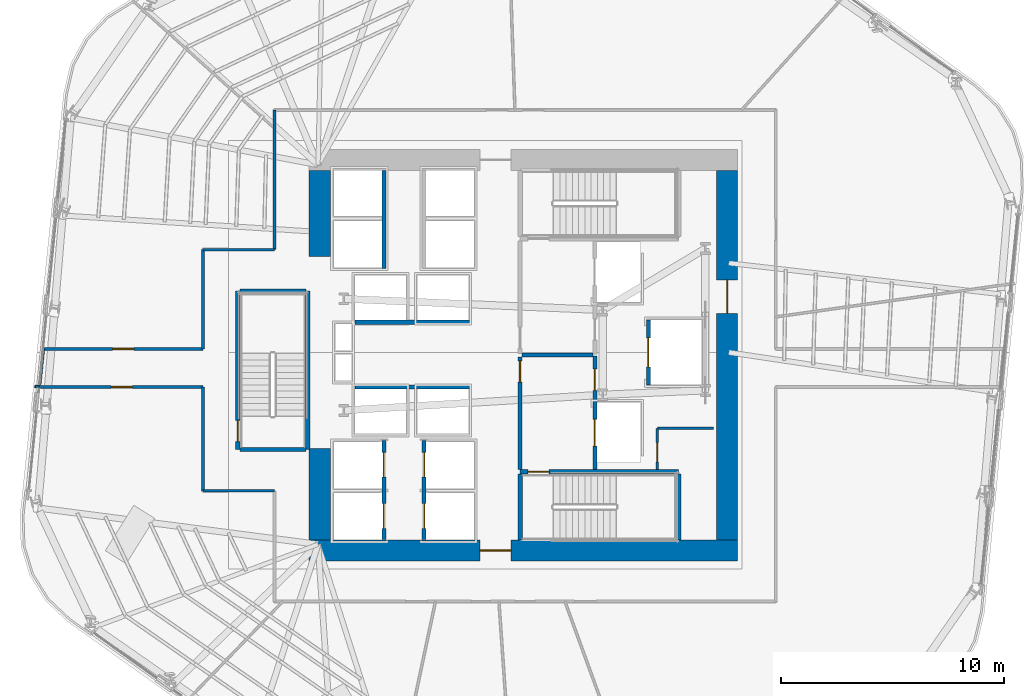
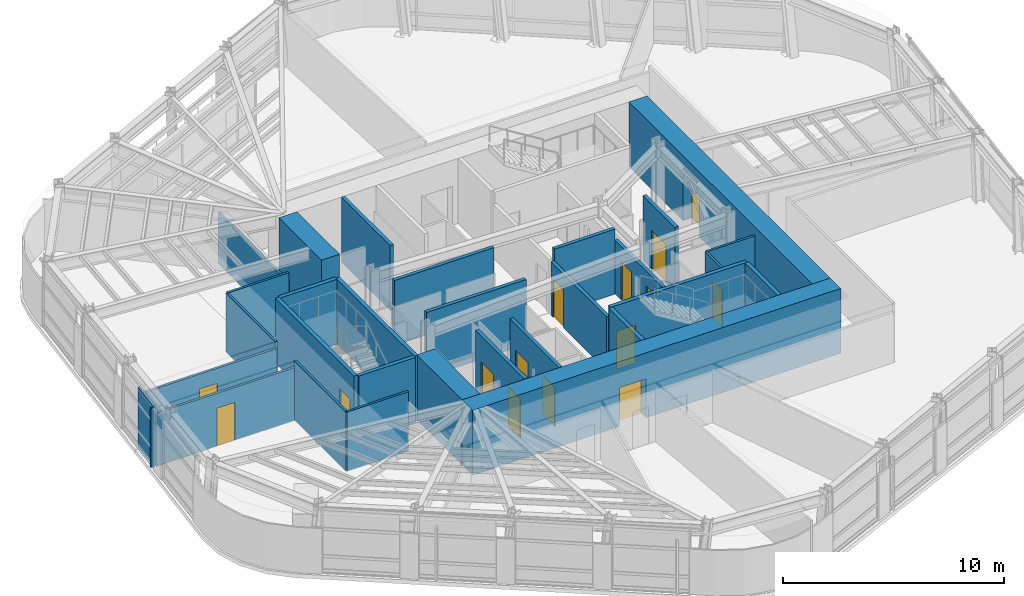
# One storey, part 9 of 16: 31 walls, 15 doors, 15 openings.
"""IFC4 building model written with IfcOpenShell, lengths in metres."""

from ifc_helpers import new_model, si_unit, direction, frame, frame_2d, origin, place, context, subcontext, project, spatial, rectangle, extrude, material, layer, layer_set, type_object, element, fill, save


model = new_model("IFC4")

# Units and contexts
model_context = context("Model", 3, precision=1e-05, world=origin(), true_north=direction((0.0, 1.0)))
body_context = subcontext(model_context, "Body", "Model", "MODEL_VIEW")
ifc_project = project(units=[si_unit("LENGTHUNIT", "METRE"), si_unit("AREAUNIT", "SQUARE_METRE"), si_unit("VOLUMEUNIT", "CUBIC_METRE"), si_unit("PLANEANGLEUNIT", "RADIAN"), si_unit("MASSUNIT", "GRAM", prefix="KILO")], contexts=[model_context])

# Site, building, storey
site_placement = place(None, origin())
site = spatial("IfcSite", under=ifc_project, at=site_placement, CompositionType="ELEMENT")
building_placement = place(site_placement, origin())
building = spatial("IfcBuilding", under=site, at=building_placement, Name="Valkerne Bourse Tower", CompositionType="ELEMENT")
storey_placement = place(building_placement, frame((0.0, 0.0, 127.60009765625)))
storey = spatial("IfcBuildingStorey", under=building, at=storey_placement, Name="L32", CompositionType="ELEMENT", Elevation=127.60009765625)

# Wall, opening, door
ifc_material_1 = material(Name="Concrete C70/85", Category="concrete")
ifc_layer_1 = layer(ifc_material_1, 0.949951171875)
ifc_layer_set_1 = layer_set([ifc_layer_1], Name="Concrete C70/85")
wall_type_1 = type_object("IfcWallType", Name="W-CORE-950", PredefinedType="SHEAR", material=ifc_layer_set_1)
wall_1_placement = place(storey_placement, frame((37.199951171875, 18.125, 0.0), z_axis=(0.0, 0.0, 1.0), x_axis=(1.0, 0.0, 0.0)))
wall_1 = element("IfcWall", 1, at=wall_1_placement, inside=storey, type_object=wall_type_1, Name="L32 Core Shear Wall SOUTH", PredefinedType="SHEAR", context=body_context, shape_type="SweptSolid", body=[
    extrude(rectangle(XDim=19.199951171875, YDim=0.949951171875, at=frame_2d((9.60009765625, 0.0))), origin(), (0.0, 0.0, 1.0), 3.579833984375),
])
opening_1_placement = place(wall_1_placement, frame((7.64990234375, 0.0, 0.0)))
opening_1 = element("IfcOpeningElement", 2, at=opening_1_placement, cuts=wall_1, Name="Opening D-PL-1400", PredefinedType="OPENING", context=body_context, shape_type="SweptSolid", body=[
    extrude(rectangle(XDim=1.39990234375, YDim=2.14990234375, at=frame_2d((0.699951171875, 1.074951171875))), frame((0.0, 0.48486328125, 0.0), z_axis=(0.0, -1.0, 0.0), x_axis=(1.0, 0.0, 0.0)), (0.0, 0.0, 1.0), 0.969970703125),
])
ifc_material_2 = material(Name="Galvanised Painted Steel", Category="steel")
door_type_1 = type_object("IfcDoorType", Name="DR-PLT-1400", OperationType="DOUBLE_DOOR_SINGLE_SWING", PredefinedType="DOOR", material=ifc_material_2)
door_1_placement = place(opening_1_placement, origin())
door_1 = element("IfcDoor", 3, at=door_1_placement, inside=storey, type_object=door_type_1, Name="L32 South Passenger Lift Hall Fire Door", OperationType="DOUBLE_DOOR_SINGLE_SWING", OverallHeight=2.14990234375, OverallWidth=1.39990234375, PredefinedType="DOOR", context=body_context, shape_type="SweptSolid", body=[
    extrude(rectangle(XDim=1.39990234375, YDim=2.14990234375, at=frame_2d((0.699951171875, 1.074951171875))), frame((0.0, 0.02490234375, 0.0), z_axis=(0.0, -1.0, 0.0), x_axis=(1.0, 0.0, 0.0)), (0.0, 0.0, 1.0), 0.050048828125),
])
fill(opening_1, door_1)

wall_2_placement = place(storey_placement, frame((55.925048828125, 18.60009765625, 0.0), z_axis=(0.0, 0.0, 1.0), x_axis=(0.0, 1.0, 0.0)))
wall_2 = element("IfcWall", 4, at=wall_2_placement, inside=storey, type_object=wall_type_1, Name="L32 Core Shear Wall EAST", PredefinedType="SHEAR", context=body_context, shape_type="SweptSolid", body=[
    extrude(rectangle(XDim=16.5498046875, YDim=0.949951171875, at=frame_2d((8.27490234375, 0.0))), origin(), (0.0, 0.0, 1.0), 3.579833984375),
])
opening_2_placement = place(wall_2_placement, frame((10.14990234375, 0.0, 0.0)))
opening_2 = element("IfcOpeningElement", 5, at=opening_2_placement, cuts=wall_2, Name="Opening D-CR-1500", PredefinedType="OPENING", context=body_context, shape_type="SweptSolid", body=[
    extrude(rectangle(XDim=1.5, YDim=2.14990234375, at=frame_2d((0.75, 1.074951171875))), frame((0.0, 0.48486328125, 0.0), z_axis=(0.0, -1.0, 0.0), x_axis=(1.0, 0.0, 0.0)), (0.0, 0.0, 1.0), 0.969970703125),
])
door_type_2 = type_object("IfcDoorType", Name="DR-CORR-1500", OperationType="DOUBLE_DOOR_SINGLE_SWING", PredefinedType="DOOR", material=ifc_material_2)
door_2_placement = place(opening_2_placement, origin())
door_2 = element("IfcDoor", 6, at=door_2_placement, inside=storey, type_object=door_type_2, Name="L32 East Core Service Lobby Fire Door", OperationType="DOUBLE_DOOR_SINGLE_SWING", OverallHeight=2.14990234375, OverallWidth=1.5, PredefinedType="DOOR", context=body_context, shape_type="SweptSolid", body=[
    extrude(rectangle(XDim=1.5, YDim=2.14990234375, at=frame_2d((0.75, 1.074951171875))), frame((0.0, 0.02490234375, 0.0), z_axis=(0.0, -1.0, 0.0), x_axis=(1.0, 0.0, 0.0)), (0.0, 0.0, 1.0), 0.050048828125),
])
fill(opening_2, door_2)

# Walls
wall_3_placement = place(storey_placement, frame((37.675048828125, 18.60009765625, 0.0), z_axis=(0.0, 0.0, 1.0), x_axis=(0.0, 1.0, 0.0)))
element("IfcWall", 7, at=wall_3_placement, inside=storey, type_object=wall_type_1, Name="L32 Core Shear Wall WEST-S", PredefinedType="SHEAR", context=body_context, shape_type="SweptSolid", body=[
    extrude(rectangle(XDim=4.099853515625, YDim=0.949951171875, at=frame_2d((2.0498046875, 0.0))), origin(), (0.0, 0.0, 1.0), 3.579833984375),
])
wall_4_placement = place(storey_placement, frame((37.675048828125, 31.300048828125, 0.0), z_axis=(0.0, 0.0, 1.0), x_axis=(0.0, 1.0, 0.0)))
element("IfcWall", 8, at=wall_4_placement, inside=storey, type_object=wall_type_1, Name="L32 Core Shear Wall WEST-N", PredefinedType="SHEAR", context=body_context, shape_type="SweptSolid", body=[
    extrude(rectangle(XDim=3.849853515625, YDim=0.949951171875, at=frame_2d((1.9248046875, 0.0))), origin(), (0.0, 0.0, 1.0), 3.579833984375),
])

# Wall, opening, door
ifc_material_3 = material(Name="Gypsum Board Steel-Stud Partition", Category="steel")
ifc_layer_2 = layer(ifc_material_3, 0.117919921875)
ifc_layer_set_2 = layer_set([ifc_layer_2], Name="Gypsum Board Steel-Stud Partition")
wall_type_2 = type_object("IfcWallType", Name="W-CORR-140", PredefinedType="PARTITIONING", material=ifc_layer_set_2)
wall_5_placement = place(storey_placement, frame((52.800048828125, 21.75, 0.0), z_axis=(0.0, 0.0, 1.0), x_axis=(0.0, 1.0, 0.0)))
wall_5 = element("IfcWall", 9, at=wall_5_placement, inside=storey, type_object=wall_type_2, Name="L32 Core SE South-Bay West Wall", PredefinedType="PARTITIONING", context=body_context, shape_type="SweptSolid", body=[
    extrude(rectangle(XDim=1.85009765625, YDim=0.117919921875, at=frame_2d((0.925048828125, 0.0))), origin(), (0.0, 0.0, 1.0), 3.27978515625),
])
opening_3_placement = place(wall_5_placement, frame((0.35009765625, 0.0, 0.0)))
opening_3 = element("IfcOpeningElement", 10, at=opening_3_placement, cuts=wall_5, Name="Opening D-WC-900", PredefinedType="OPENING", context=body_context, shape_type="SweptSolid", body=[
    extrude(rectangle(XDim=0.860107421875, YDim=2.050048828125, at=frame_2d((0.43017578125, 1.02490234375))), frame((0.0, 0.06884765625, 0.0), z_axis=(0.0, -1.0, 0.0), x_axis=(1.0, 0.0, 0.0)), (0.0, 0.0, 1.0), 0.137939453125),
])
ifc_material_4 = material(Name="Architectural White Oak Timber", Category="wood")
door_type_3 = type_object("IfcDoorType", Name="DR-WC-900", OperationType="NOTDEFINED", PredefinedType="DOOR", material=ifc_material_4)
door_3_placement = place(opening_3_placement, origin())
door_3 = element("IfcDoor", 11, at=door_3_placement, inside=storey, type_object=door_type_3, Name="L32 Janitor Store Door", OperationType="SINGLE_SWING_RIGHT", OverallHeight=2.050048828125, OverallWidth=0.860107421875, PredefinedType="DOOR", context=body_context, shape_type="SweptSolid", body=[
    extrude(rectangle(XDim=0.860107421875, YDim=2.050048828125, at=frame_2d((0.43017578125, 1.02490234375))), frame((0.0, 0.02490234375, 0.0), z_axis=(0.0, -1.0, 0.0), x_axis=(1.0, 0.0, 0.0)), (0.0, 0.0, 1.0), 0.050048828125),
])
fill(opening_3, door_3)

# Walls
wall_6_placement = place(storey_placement, frame((52.800048828125, 23.60009765625, 0.0), z_axis=(0.0, 0.0, 1.0), x_axis=(1.0, 0.0, 0.0)))
element("IfcWall", 12, at=wall_6_placement, inside=storey, type_object=wall_type_2, Name="L32 Core SE South-Bay North Wall", PredefinedType="PARTITIONING", context=body_context, shape_type="SweptSolid", body=[
    extrude(rectangle(XDim=2.52001953125, YDim=0.117919921875, at=frame_2d((1.260009765625, 0.0))), origin(), (0.0, 0.0, 1.0), 3.27978515625),
])
wall_7_placement = place(storey_placement, frame((35.64990234375, 20.800048828125, 0.0), z_axis=(0.0, 0.0, 1.0), x_axis=(-1.0, 0.0, 0.0)))
element("IfcWall", 13, at=wall_7_placement, inside=storey, type_object=wall_type_2, Name="L32 Corridor Enclosure Wall", PredefinedType="PARTITIONING", context=body_context, shape_type="SweptSolid", body=[
    extrude(rectangle(XDim=3.199951171875, YDim=0.117919921875, at=frame_2d((1.60009765625, 0.0))), origin(), (0.0, 0.0, 1.0), 3.27978515625),
])
wall_8_placement = place(storey_placement, frame((32.449951171875, 20.800048828125, 0.0), z_axis=(0.0, 0.0, 1.0), x_axis=(0.0, 1.0, 0.0)))
element("IfcWall", 14, at=wall_8_placement, inside=storey, type_object=wall_type_2, Name="L32 Corridor Enclosure Wall", PredefinedType="PARTITIONING", context=body_context, shape_type="SweptSolid", body=[
    extrude(rectangle(XDim=4.64990234375, YDim=0.117919921875, at=frame_2d((2.324951171875, 0.0))), origin(), (0.0, 0.0, 1.0), 3.27978515625),
])

# Wall, opening, door
wall_9_placement = place(storey_placement, frame((32.449951171875, 25.449951171875, 0.0), z_axis=(0.0, 0.0, 1.0), x_axis=(-1.0, 0.0, 0.0)))
wall_9 = element("IfcWall", 15, at=wall_9_placement, inside=storey, type_object=wall_type_2, Name="L32 Corridor Enclosure Wall", PredefinedType="PARTITIONING", context=body_context, shape_type="SweptSolid", body=[
    extrude(rectangle(XDim=7.27880859375, YDim=0.117919921875, at=frame_2d((3.639404296875, 0.0))), origin(), (0.0, 0.0, 1.0), 2.92236328125),
])
opening_4_placement = place(wall_9_placement, frame((3.164306640625, 0.0, 0.0)))
opening_4 = element("IfcOpeningElement", 16, at=opening_4_placement, cuts=wall_9, Name="Opening D-OF-950", PredefinedType="OPENING", context=body_context, shape_type="SweptSolid", body=[
    extrude(rectangle(XDim=0.949951171875, YDim=2.10009765625, at=frame_2d((0.47509765625, 1.050048828125))), frame((0.0, 0.06884765625, 0.0), z_axis=(0.0, -1.0, 0.0), x_axis=(1.0, 0.0, 0.0)), (0.0, 0.0, 1.0), 0.137939453125),
])
door_type_4 = type_object("IfcDoorType", Name="DR-OFF-950", OperationType="NOTDEFINED", PredefinedType="DOOR", material=ifc_material_4)
door_4_placement = place(opening_4_placement, origin())
door_4 = element("IfcDoor", 17, at=door_4_placement, inside=storey, type_object=door_type_4, Name="L32 L32 Member Collaboration Club Salon 4 Door", OperationType="SINGLE_SWING_LEFT", OverallHeight=2.10009765625, OverallWidth=0.949951171875, PredefinedType="DOOR", context=body_context, shape_type="SweptSolid", body=[
    extrude(rectangle(XDim=0.949951171875, YDim=2.10009765625, at=frame_2d((0.47509765625, 1.050048828125))), frame((0.0, 0.02490234375, 0.0), z_axis=(0.0, -1.0, 0.0), x_axis=(1.0, 0.0, 0.0)), (0.0, 0.0, 1.0), 0.050048828125),
])
fill(opening_4, door_4)

# Wall
wall_10_placement = place(storey_placement, frame((25.130859375, 25.494873046875, 0.0), z_axis=(0.0, 0.0, 1.0), x_axis=(0.102568729607, 0.994725919893, 0.0)))
element("IfcWall", 18, at=wall_10_placement, inside=storey, type_object=wall_type_2, Name="L32 Corridor Enclosure Wall", PredefinedType="PARTITIONING", context=body_context, shape_type="SweptSolid", body=[
    extrude(rectangle(XDim=1.663818359375, YDim=0.117919921875, at=frame_2d((0.83203125, 0.0))), origin(), (0.0, 0.0, 1.0), 3.27978515625),
])

# Wall, opening, door
wall_11_placement = place(storey_placement, frame((25.301513671875, 27.14990234375, 0.0), z_axis=(0.0, 0.0, 1.0), x_axis=(1.0, 0.0, 0.0)))
wall_11 = element("IfcWall", 19, at=wall_11_placement, inside=storey, type_object=wall_type_2, Name="L32 Corridor Enclosure Wall", PredefinedType="PARTITIONING", context=body_context, shape_type="SweptSolid", body=[
    extrude(rectangle(XDim=7.1484375, YDim=0.117919921875, at=frame_2d((3.57421875, 0.0))), origin(), (0.0, 0.0, 1.0), 2.92236328125),
])
opening_5_placement = place(wall_11_placement, frame((3.099365234375, 0.0, 0.0)))
opening_5 = element("IfcOpeningElement", 20, at=opening_5_placement, cuts=wall_11, Name="Opening D-OF-950", PredefinedType="OPENING", context=body_context, shape_type="SweptSolid", body=[
    extrude(rectangle(XDim=0.949951171875, YDim=2.10009765625, at=frame_2d((0.47509765625, 1.050048828125))), frame((0.0, 0.06884765625, 0.0), z_axis=(0.0, -1.0, 0.0), x_axis=(1.0, 0.0, 0.0)), (0.0, 0.0, 1.0), 0.137939453125),
])
door_5_placement = place(opening_5_placement, origin())
door_5 = element("IfcDoor", 21, at=door_5_placement, inside=storey, type_object=door_type_4, Name="L32 L32 Occupational Wellness Clinic 5 Door", OperationType="SINGLE_SWING_LEFT", OverallHeight=2.10009765625, OverallWidth=0.949951171875, PredefinedType="DOOR", context=body_context, shape_type="SweptSolid", body=[
    extrude(rectangle(XDim=0.949951171875, YDim=2.10009765625, at=frame_2d((0.47509765625, 1.050048828125))), frame((0.0, 0.02490234375, 0.0), z_axis=(0.0, -1.0, 0.0), x_axis=(1.0, 0.0, 0.0)), (0.0, 0.0, 1.0), 0.050048828125),
])
fill(opening_5, door_5)

# Walls
wall_12_placement = place(storey_placement, frame((32.449951171875, 27.14990234375, 0.0), z_axis=(0.0, 0.0, 1.0), x_axis=(0.0, 1.0, 0.0)))
element("IfcWall", 22, at=wall_12_placement, inside=storey, type_object=wall_type_2, Name="L32 Corridor Enclosure Wall", PredefinedType="PARTITIONING", context=body_context, shape_type="SweptSolid", body=[
    extrude(rectangle(XDim=4.4501953125, YDim=0.117919921875, at=frame_2d((2.22509765625, 0.0))), origin(), (0.0, 0.0, 1.0), 3.27978515625),
])
wall_13_placement = place(storey_placement, frame((32.449951171875, 31.60009765625, 0.0), z_axis=(0.0, 0.0, 1.0), x_axis=(1.0, 0.0, 0.0)))
element("IfcWall", 23, at=wall_13_placement, inside=storey, type_object=wall_type_2, Name="L32 Corridor Enclosure Wall", PredefinedType="PARTITIONING", context=body_context, shape_type="SweptSolid", body=[
    extrude(rectangle(XDim=3.199951171875, YDim=0.117919921875, at=frame_2d((1.60009765625, 0.0))), origin(), (0.0, 0.0, 1.0), 3.27978515625),
])
wall_14_placement = place(storey_placement, frame((35.64990234375, 31.60009765625, 0.0), z_axis=(0.0, 0.0, 1.0), x_axis=(0.0, 1.0, 0.0)))
element("IfcWall", 24, at=wall_14_placement, inside=storey, type_object=wall_type_2, Name="L32 Corridor Enclosure Wall", PredefinedType="PARTITIONING", context=body_context, shape_type="SweptSolid", body=[
    extrude(rectangle(XDim=6.25, YDim=0.117919921875, at=frame_2d((3.125, 0.0))), origin(), (0.0, 0.0, 1.0), 2.80029296875),
])
ifc_material_5 = material(Name="Gypsum Fire-Rated Shaftwall", Category="gypsum")
ifc_layer_3 = layer(ifc_material_5, 0.179931640625)
ifc_layer_set_3 = layer_set([ifc_layer_3], Name="Gypsum Fire-Rated Shaftwall")
wall_type_3 = type_object("IfcWallType", Name="W-FSAE-180", PredefinedType="PARTITIONING", material=ifc_layer_set_3)
wall_15_placement = place(storey_placement, frame((46.739990234375, 26.8798828125, 0.0), z_axis=(0.0, 0.0, 1.0), x_axis=(1.0, 0.0, 0.0)))
element("IfcWall", 25, at=wall_15_placement, inside=storey, type_object=wall_type_3, Name="L32 FSAE-1/2 Lobby Dividing Fire Wall", PredefinedType="PARTITIONING", context=body_context, shape_type="SweptSolid", body=[
    extrude(rectangle(XDim=3.169921875, YDim=0.179931640625, at=frame_2d((1.5849609375, 0.0))), origin(), (0.0, 0.0, 1.0), 3.579833984375),
])

# Wall, opening, door
wall_16_placement = place(storey_placement, frame((46.64990234375, 21.75, 0.0), z_axis=(0.0, 0.0, 1.0), x_axis=(0.0, 1.0, 0.0)))
wall_16 = element("IfcWall", 26, at=wall_16_placement, inside=storey, type_object=wall_type_3, Name="L32 FSAE-1 Lobby West Fire Wall", PredefinedType="PARTITIONING", context=body_context, shape_type="SweptSolid", body=[
    extrude(rectangle(XDim=5.050048828125, YDim=0.179931640625, at=frame_2d((2.52490234375, 0.0))), origin(), (0.0, 0.0, 1.0), 2.9580078125),
])
opening_6_placement = place(wall_16_placement, frame((3.919921875, 0.0, 0.0)))
opening_6 = element("IfcOpeningElement", 27, at=opening_6_placement, cuts=wall_16, Name="Opening D-FS-950", PredefinedType="OPENING", context=body_context, shape_type="SweptSolid", body=[
    extrude(rectangle(XDim=0.949951171875, YDim=2.10009765625, at=frame_2d((0.47509765625, 1.050048828125))), frame((0.0, 0.099853515625, 0.0), z_axis=(0.0, -1.0, 0.0), x_axis=(1.0, 0.0, 0.0)), (0.0, 0.0, 1.0), 0.199951171875),
])
door_type_5 = type_object("IfcDoorType", Name="DR-FSAE-950", OperationType="NOTDEFINED", PredefinedType="DOOR", material=ifc_material_2)
door_6_placement = place(opening_6_placement, origin())
door_6 = element("IfcDoor", 28, at=door_6_placement, inside=storey, type_object=door_type_5, Name="L32 FSAE-1 Hall Link Fire Door", OperationType="SINGLE_SWING_RIGHT", OverallHeight=2.10009765625, OverallWidth=0.949951171875, PredefinedType="DOOR", context=body_context, shape_type="SweptSolid", body=[
    extrude(rectangle(XDim=0.949951171875, YDim=2.10009765625, at=frame_2d((0.47509765625, 1.050048828125))), frame((0.0, 0.02490234375, 0.0), z_axis=(0.0, -1.0, 0.0), x_axis=(1.0, 0.0, 0.0)), (0.0, 0.0, 1.0), 0.050048828125),
])
fill(opening_6, door_6)

# Wall, openings, doors
wall_17_placement = place(storey_placement, frame((50.0, 21.75, 0.0), z_axis=(0.0, 0.0, 1.0), x_axis=(0.0, 1.0, 0.0)))
wall_17 = element("IfcWall", 29, at=wall_17_placement, inside=storey, type_object=wall_type_3, Name="L32 FSAE-1 Lobby & Shaft Front Wall", PredefinedType="PARTITIONING", context=body_context, shape_type="SweptSolid", body=[
    extrude(rectangle(XDim=5.090087890625, YDim=0.179931640625, at=frame_2d((2.544921875, 0.0))), origin(), (0.0, 0.0, 1.0), 2.9580078125),
])
opening_7_placement = place(wall_17_placement, frame((1.050048828125, 0.0, 0.0)))
opening_7 = element("IfcOpeningElement", 30, at=opening_7_placement, cuts=wall_17, Name="Opening LD-1200", PredefinedType="OPENING", context=body_context, shape_type="SweptSolid", body=[
    extrude(rectangle(XDim=1.199951171875, YDim=2.14990234375, at=frame_2d((0.60009765625, 1.074951171875))), frame((0.0, 0.099853515625, 0.0), z_axis=(0.0, -1.0, 0.0), x_axis=(1.0, 0.0, 0.0)), (0.0, 0.0, 1.0), 0.199951171875),
])
opening_8_placement = place(wall_17_placement, frame((3.550048828125, 0.0, 0.0)))
opening_8 = element("IfcOpeningElement", 31, at=opening_8_placement, cuts=wall_17, Name="Opening D-FS-950", PredefinedType="OPENING", context=body_context, shape_type="SweptSolid", body=[
    extrude(rectangle(XDim=0.949951171875, YDim=2.10009765625, at=frame_2d((0.47509765625, 1.050048828125))), frame((0.0, 0.099853515625, 0.0), z_axis=(0.0, -1.0, 0.0), x_axis=(1.0, 0.0, 0.0)), (0.0, 0.0, 1.0), 0.199951171875),
])
door_7_placement = place(opening_8_placement, origin())
door_7 = element("IfcDoor", 32, at=door_7_placement, inside=storey, type_object=door_type_5, Name="L32 FSAE-1 Lobby Corridor Fire Door", OperationType="SINGLE_SWING_RIGHT", OverallHeight=2.10009765625, OverallWidth=0.949951171875, PredefinedType="DOOR", context=body_context, shape_type="SweptSolid", body=[
    extrude(rectangle(XDim=0.949951171875, YDim=2.10009765625, at=frame_2d((0.47509765625, 1.050048828125))), frame((0.0, 0.02490234375, 0.0), z_axis=(0.0, -1.0, 0.0), x_axis=(1.0, 0.0, 0.0)), (0.0, 0.0, 1.0), 0.050048828125),
])
fill(opening_8, door_7)
ifc_material_6 = material(Name="Stainless Steel AISI 316", Category="steel")
door_type_6 = type_object("IfcDoorType", Name="DR-LIFT-1200", OperationType="DOUBLE_DOOR_SLIDING", PredefinedType="DOOR", material=ifc_material_6)
door_8_placement = place(opening_7_placement, origin())
door_8 = element("IfcDoor", 33, at=door_8_placement, inside=storey, type_object=door_type_6, Name="L32 FSAE-1 Firefighting Lift Landing Door", OperationType="DOUBLE_DOOR_SLIDING", OverallHeight=2.14990234375, OverallWidth=1.199951171875, PredefinedType="DOOR", context=body_context, shape_type="SweptSolid", body=[
    extrude(rectangle(XDim=1.199951171875, YDim=2.14990234375, at=frame_2d((0.60009765625, 1.074951171875))), frame((0.0, 0.02490234375, 0.0), z_axis=(0.0, -1.0, 0.0), x_axis=(1.0, 0.0, 0.0)), (0.0, 0.0, 1.0), 0.050048828125),
])
fill(opening_7, door_8)

# Wall, opening, door
ifc_material_7 = material(Name="CMU Blockwork Masonry 200mm", Category="masonry")
ifc_layer_4 = layer(ifc_material_7, 0.179931640625)
ifc_layer_set_4 = layer_set([ifc_layer_4], Name="CMU Blockwork Masonry 200mm")
wall_type_4 = type_object("IfcWallType", Name="W-LFT-180", PredefinedType="SOLIDWALL", material=ifc_layer_set_4)
wall_18_placement = place(storey_placement, frame((52.39990234375, 25.550048828125, 0.0), z_axis=(0.0, 0.0, 1.0), x_axis=(0.0, 1.0, 0.0)))
wall_18 = element("IfcWall", 34, at=wall_18_placement, inside=storey, type_object=wall_type_4, Name="L32 Service Lift SV-1 Front Wall", PredefinedType="SOLIDWALL", context=body_context, shape_type="SweptSolid", body=[
    extrude(rectangle(XDim=2.89990234375, YDim=0.179931640625, at=frame_2d((1.449951171875, 0.0))), origin(), (0.0, 0.0, 1.0), 3.579833984375),
])
opening_9_placement = place(wall_18_placement, frame((0.800048828125, 0.0, 0.0)))
opening_9 = element("IfcOpeningElement", 35, at=opening_9_placement, cuts=wall_18, Name="Opening LD-1300", PredefinedType="OPENING", context=body_context, shape_type="SweptSolid", body=[
    extrude(rectangle(XDim=1.300048828125, YDim=2.14990234375, at=frame_2d((0.64990234375, 1.074951171875))), frame((0.0, 0.099853515625, 0.0), z_axis=(0.0, -1.0, 0.0), x_axis=(1.0, 0.0, 0.0)), (0.0, 0.0, 1.0), 0.199951171875),
])
door_type_7 = type_object("IfcDoorType", Name="DR-LIFT-1300", OperationType="DOUBLE_DOOR_SLIDING", PredefinedType="DOOR", material=ifc_material_6)
door_9_placement = place(opening_9_placement, origin())
door_9 = element("IfcDoor", 36, at=door_9_placement, inside=storey, type_object=door_type_7, Name="L32 Service Lift SV-1 Landing Door", OperationType="DOUBLE_DOOR_SLIDING", OverallHeight=2.14990234375, OverallWidth=1.300048828125, PredefinedType="DOOR", context=body_context, shape_type="SweptSolid", body=[
    extrude(rectangle(XDim=1.300048828125, YDim=2.14990234375, at=frame_2d((0.64990234375, 1.074951171875))), frame((0.0, 0.02490234375, 0.0), z_axis=(0.0, -1.0, 0.0), x_axis=(1.0, 0.0, 0.0)), (0.0, 0.0, 1.0), 0.050048828125),
])
fill(opening_9, door_9)

# Wall, openings, doors
wall_19_placement = place(storey_placement, frame((40.550048828125, 18.6201171875, 0.0), z_axis=(0.0, 0.0, 1.0), x_axis=(0.0, 1.0, 0.0)))
wall_19 = element("IfcWall", 37, at=wall_19_placement, inside=storey, type_object=wall_type_4, Name="L32 Low-Zone West Cars Front Wall", PredefinedType="SOLIDWALL", context=body_context, shape_type="SweptSolid", body=[
    extrude(rectangle(XDim=4.429931640625, YDim=0.179931640625, at=frame_2d((2.21484375, 0.0))), origin(), (0.0, 0.0, 1.0), 3.579833984375),
])
opening_10_placement = place(wall_19_placement, frame((0.5, 0.0, 0.0)))
opening_10 = element("IfcOpeningElement", 38, at=opening_10_placement, cuts=wall_19, Name="Opening LD-1100", PredefinedType="OPENING", context=body_context, shape_type="SweptSolid", body=[
    extrude(rectangle(XDim=1.10009765625, YDim=2.14990234375, at=frame_2d((0.550048828125, 1.074951171875))), frame((0.0, 0.099853515625, 0.0), z_axis=(0.0, -1.0, 0.0), x_axis=(1.0, 0.0, 0.0)), (0.0, 0.0, 1.0), 0.199951171875),
])
opening_11_placement = place(wall_19_placement, frame((2.800048828125, 0.0, 0.0)))
opening_11 = element("IfcOpeningElement", 39, at=opening_11_placement, cuts=wall_19, Name="Opening LD-1100", PredefinedType="OPENING", context=body_context, shape_type="SweptSolid", body=[
    extrude(rectangle(XDim=1.10009765625, YDim=2.14990234375, at=frame_2d((0.550048828125, 1.074951171875))), frame((0.0, 0.099853515625, 0.0), z_axis=(0.0, -1.0, 0.0), x_axis=(1.0, 0.0, 0.0)), (0.0, 0.0, 1.0), 0.199951171875),
])
door_type_8 = type_object("IfcDoorType", Name="DR-LIFT-1100", OperationType="DOUBLE_DOOR_SLIDING", PredefinedType="DOOR", material=ifc_material_6)
door_10_placement = place(opening_10_placement, origin())
door_10 = element("IfcDoor", 40, at=door_10_placement, inside=storey, type_object=door_type_8, Name="L32 Passenger Lift PL-L1 Sliding Landing Door", OperationType="DOUBLE_DOOR_SLIDING", OverallHeight=2.14990234375, OverallWidth=1.10009765625, PredefinedType="DOOR", context=body_context, shape_type="SweptSolid", body=[
    extrude(rectangle(XDim=1.10009765625, YDim=2.14990234375, at=frame_2d((0.550048828125, 1.074951171875))), frame((0.0, 0.02490234375, 0.0), z_axis=(0.0, -1.0, 0.0), x_axis=(1.0, 0.0, 0.0)), (0.0, 0.0, 1.0), 0.050048828125),
])
fill(opening_10, door_10)
door_11_placement = place(opening_11_placement, origin())
door_11 = element("IfcDoor", 41, at=door_11_placement, inside=storey, type_object=door_type_8, Name="L32 Passenger Lift PL-L2 Sliding Landing Door", OperationType="DOUBLE_DOOR_SLIDING", OverallHeight=2.14990234375, OverallWidth=1.10009765625, PredefinedType="DOOR", context=body_context, shape_type="SweptSolid", body=[
    extrude(rectangle(XDim=1.10009765625, YDim=2.14990234375, at=frame_2d((0.550048828125, 1.074951171875))), frame((0.0, 0.02490234375, 0.0), z_axis=(0.0, -1.0, 0.0), x_axis=(1.0, 0.0, 0.0)), (0.0, 0.0, 1.0), 0.050048828125),
])
fill(opening_11, door_11)

wall_20_placement = place(storey_placement, frame((42.35009765625, 18.6201171875, 0.0), z_axis=(0.0, 0.0, 1.0), x_axis=(0.0, 1.0, 0.0)))
wall_20 = element("IfcWall", 42, at=wall_20_placement, inside=storey, type_object=wall_type_4, Name="L32 Low-Zone East Cars Front Wall", PredefinedType="SOLIDWALL", context=body_context, shape_type="SweptSolid", body=[
    extrude(rectangle(XDim=4.429931640625, YDim=0.179931640625, at=frame_2d((2.21484375, 0.0))), origin(), (0.0, 0.0, 1.0), 3.579833984375),
])
opening_12_placement = place(wall_20_placement, frame((0.5, 0.0, 0.0)))
opening_12 = element("IfcOpeningElement", 43, at=opening_12_placement, cuts=wall_20, Name="Opening LD-1100", PredefinedType="OPENING", context=body_context, shape_type="SweptSolid", body=[
    extrude(rectangle(XDim=1.10009765625, YDim=2.14990234375, at=frame_2d((0.550048828125, 1.074951171875))), frame((0.0, 0.099853515625, 0.0), z_axis=(0.0, -1.0, 0.0), x_axis=(1.0, 0.0, 0.0)), (0.0, 0.0, 1.0), 0.199951171875),
])
opening_13_placement = place(wall_20_placement, frame((2.800048828125, 0.0, 0.0)))
opening_13 = element("IfcOpeningElement", 44, at=opening_13_placement, cuts=wall_20, Name="Opening LD-1100", PredefinedType="OPENING", context=body_context, shape_type="SweptSolid", body=[
    extrude(rectangle(XDim=1.10009765625, YDim=2.14990234375, at=frame_2d((0.550048828125, 1.074951171875))), frame((0.0, 0.099853515625, 0.0), z_axis=(0.0, -1.0, 0.0), x_axis=(1.0, 0.0, 0.0)), (0.0, 0.0, 1.0), 0.199951171875),
])
door_12_placement = place(opening_12_placement, origin())
door_12 = element("IfcDoor", 45, at=door_12_placement, inside=storey, type_object=door_type_8, Name="L32 Passenger Lift PL-L3 Sliding Landing Door", OperationType="DOUBLE_DOOR_SLIDING", OverallHeight=2.14990234375, OverallWidth=1.10009765625, PredefinedType="DOOR", context=body_context, shape_type="SweptSolid", body=[
    extrude(rectangle(XDim=1.10009765625, YDim=2.14990234375, at=frame_2d((0.550048828125, 1.074951171875))), frame((0.0, 0.02490234375, 0.0), z_axis=(0.0, -1.0, 0.0), x_axis=(1.0, 0.0, 0.0)), (0.0, 0.0, 1.0), 0.050048828125),
])
fill(opening_12, door_12)
door_13_placement = place(opening_13_placement, origin())
door_13 = element("IfcDoor", 46, at=door_13_placement, inside=storey, type_object=door_type_8, Name="L32 Passenger Lift PL-L4 Sliding Landing Door", OperationType="DOUBLE_DOOR_SLIDING", OverallHeight=2.14990234375, OverallWidth=1.10009765625, PredefinedType="DOOR", context=body_context, shape_type="SweptSolid", body=[
    extrude(rectangle(XDim=1.10009765625, YDim=2.14990234375, at=frame_2d((0.550048828125, 1.074951171875))), frame((0.0, 0.02490234375, 0.0), z_axis=(0.0, -1.0, 0.0), x_axis=(1.0, 0.0, 0.0)), (0.0, 0.0, 1.0), 0.050048828125),
])
fill(opening_13, door_13)

# Walls
wall_21_placement = place(storey_placement, frame((40.550048828125, 30.75, 0.0), z_axis=(0.0, 0.0, 1.0), x_axis=(0.0, 1.0, 0.0)))
element("IfcWall", 47, at=wall_21_placement, inside=storey, type_object=wall_type_4, Name="L32 Mid-Zone West Cars Front Wall", PredefinedType="SOLIDWALL", context=body_context, shape_type="SweptSolid", body=[
    extrude(rectangle(XDim=4.39990234375, YDim=0.179931640625, at=frame_2d((2.199951171875, 0.0))), origin(), (0.0, 0.0, 1.0), 3.579833984375),
])
for number, where, z_axis, x_axis, name in (
    (48, (39.25, 25.449951171875, 0.0), (0.0, 0.0, 1.0), (1.0, 0.0, 0.0), "L32 High-Zone South Cars Front Wall"),
    (49, (39.25, 28.35009765625, 0.0), (0.0, 0.0, 1.0), (1.0, 0.0, 0.0), "L32 High-Zone North Cars Front Wall"),
):
    element("IfcWall", number, at=place(storey_placement, frame(where, z_axis=z_axis, x_axis=x_axis)), inside=storey, type_object=wall_type_4, Name=name, PredefinedType="SOLIDWALL", context=body_context, shape_type="SweptSolid", body=[
        extrude(rectangle(XDim=5.199951171875, YDim=0.179931640625, at=frame_2d((2.60009765625, 0.0))), origin(), (0.0, 0.0, 1.0), 3.579833984375),
    ])
ifc_layer_5 = layer(ifc_material_3, 0.092041015625)
ifc_layer_set_5 = layer_set([ifc_layer_5], Name="Gypsum Board Steel-Stud Partition")
wall_type_5 = type_object("IfcWallType", Name="W-PART-115", PredefinedType="PARTITIONING", material=ifc_layer_set_5)
wall_22_placement = place(storey_placement, frame((25.124755859375, 25.484375, 0.0), z_axis=(0.0, 0.0, 1.0), x_axis=(-0.997523730518, -0.070330697804, 0.0)))
element("IfcWall", 50, at=wall_22_placement, inside=storey, type_object=wall_type_5, Name="L32 Suite Partition P08", PredefinedType="PARTITIONING", context=body_context, shape_type="SweptSolid", body=[
    extrude(rectangle(XDim=0.208251953125, YDim=0.092041015625, at=frame_2d((0.10400390625, 0.0))), origin(), (0.0, 0.0, 1.0), 3.27978515625),
])

# Wall, opening, door
ifc_material_8 = material(Name="Concrete C40/50", Category="concrete")
ifc_layer_6 = layer(ifc_material_8, 0.199951171875)
ifc_layer_set_6 = layer_set([ifc_layer_6], Name="Concrete C40/50")
wall_type_6 = type_object("IfcWallType", Name="W-SHF-200", PredefinedType="SHEAR", material=ifc_layer_set_6)
wall_23_placement = place(storey_placement, frame((46.64990234375, 21.64990234375, 0.0), z_axis=(0.0, 0.0, 1.0), x_axis=(1.0, 0.0, 0.0)))
wall_23 = element("IfcWall", 51, at=wall_23_placement, inside=storey, type_object=wall_type_6, Name="L32 Exit Stair ST-1 Structural Shaft Wall North", PredefinedType="SHEAR", context=body_context, shape_type="SweptSolid", body=[
    extrude(rectangle(XDim=7.10009765625, YDim=0.199951171875, at=frame_2d((3.550048828125, 0.0))), origin(), (0.0, 0.0, 1.0), 3.579833984375),
])
opening_14_placement = place(wall_23_placement, frame((0.35009765625, 0.0, 0.0)))
opening_14 = element("IfcOpeningElement", 52, at=opening_14_placement, cuts=wall_23, Name="Opening D-ST-950", PredefinedType="OPENING", context=body_context, shape_type="SweptSolid", body=[
    extrude(rectangle(XDim=0.949951171875, YDim=2.10009765625, at=frame_2d((0.47509765625, 1.050048828125))), frame((0.0, 0.10986328125, 0.0), z_axis=(0.0, -1.0, 0.0), x_axis=(1.0, 0.0, 0.0)), (0.0, 0.0, 1.0), 0.219970703125),
])
door_type_9 = type_object("IfcDoorType", Name="DR-STAIR-950", OperationType="NOTDEFINED", PredefinedType="DOOR", material=ifc_material_2)
door_14_placement = place(opening_14_placement, origin())
door_14 = element("IfcDoor", 53, at=door_14_placement, inside=storey, type_object=door_type_9, Name="L32 Exit Stair ST-1 Door", OperationType="SINGLE_SWING_LEFT", OverallHeight=2.10009765625, OverallWidth=0.949951171875, PredefinedType="DOOR", context=body_context, shape_type="SweptSolid", body=[
    extrude(rectangle(XDim=0.949951171875, YDim=2.10009765625, at=frame_2d((0.47509765625, 1.050048828125))), frame((0.0, 0.02490234375, 0.0), z_axis=(0.0, -1.0, 0.0), x_axis=(1.0, 0.0, 0.0)), (0.0, 0.0, 1.0), 0.050048828125),
])
fill(opening_14, door_14)

# Walls
for number, where, z_axis, x_axis, name in (
    (54, (46.64990234375, 18.60009765625, 0.0), (0.0, 0.0, 1.0), (0.0, 1.0, 0.0), "L32 Exit Stair ST-1 Structural Shaft Wall West"),
    (55, (53.75, 18.60009765625, 0.0), (0.0, 0.0, 1.0), (0.0, 1.0, 0.0), "L32 Exit Stair ST-1 Structural Shaft Wall East"),
):
    element("IfcWall", number, at=place(storey_placement, frame(where, z_axis=z_axis, x_axis=x_axis)), inside=storey, type_object=wall_type_6, Name=name, PredefinedType="SHEAR", context=body_context, shape_type="SweptSolid", body=[
        extrude(rectangle(XDim=2.949951171875, YDim=0.199951171875, at=frame_2d((1.47509765625, 0.0))), origin(), (0.0, 0.0, 1.0), 3.579833984375),
    ])

# Wall, opening, door
wall_24_placement = place(storey_placement, frame((34.0, 22.64990234375, 0.0), z_axis=(0.0, 0.0, 1.0), x_axis=(0.0, 1.0, 0.0)))
wall_24 = element("IfcWall", 56, at=wall_24_placement, inside=storey, type_object=wall_type_6, Name="L32 Exit Stair ST-3 Structural Shaft Wall West", PredefinedType="SHEAR", context=body_context, shape_type="SweptSolid", body=[
    extrude(rectangle(XDim=7.10009765625, YDim=0.199951171875, at=frame_2d((3.550048828125, 0.0))), origin(), (0.0, 0.0, 1.0), 3.579833984375),
])
opening_15_placement = place(wall_24_placement, frame((0.35009765625, 0.0, 0.0)))
opening_15 = element("IfcOpeningElement", 57, at=opening_15_placement, cuts=wall_24, Name="Opening D-ST-950", PredefinedType="OPENING", context=body_context, shape_type="SweptSolid", body=[
    extrude(rectangle(XDim=0.949951171875, YDim=2.10009765625, at=frame_2d((0.47509765625, 1.050048828125))), frame((0.0, 0.10986328125, 0.0), z_axis=(0.0, -1.0, 0.0), x_axis=(1.0, 0.0, 0.0)), (0.0, 0.0, 1.0), 0.219970703125),
])
door_15_placement = place(opening_15_placement, origin())
door_15 = element("IfcDoor", 58, at=door_15_placement, inside=storey, type_object=door_type_9, Name="L32 Exit Stair ST-3 Door", OperationType="SINGLE_SWING_LEFT", OverallHeight=2.10009765625, OverallWidth=0.949951171875, PredefinedType="DOOR", context=body_context, shape_type="SweptSolid", body=[
    extrude(rectangle(XDim=0.949951171875, YDim=2.10009765625, at=frame_2d((0.47509765625, 1.050048828125))), frame((0.0, 0.02490234375, 0.0), z_axis=(0.0, -1.0, 0.0), x_axis=(1.0, 0.0, 0.0)), (0.0, 0.0, 1.0), 0.050048828125),
])
fill(opening_15, door_15)

# Walls
for number, where, z_axis, x_axis, name in (
    (59, (34.10009765625, 22.64990234375, 0.0), (0.0, 0.0, 1.0), (1.0, 0.0, 0.0), "L32 Exit Stair ST-3 Structural Shaft Wall South"),
    (60, (34.10009765625, 29.75, 0.0), (0.0, 0.0, 1.0), (1.0, 0.0, 0.0), "L32 Exit Stair ST-3 Structural Shaft Wall North"),
):
    element("IfcWall", number, at=place(storey_placement, frame(where, z_axis=z_axis, x_axis=x_axis)), inside=storey, type_object=wall_type_6, Name=name, PredefinedType="SHEAR", context=body_context, shape_type="SweptSolid", body=[
        extrude(rectangle(XDim=2.949951171875, YDim=0.199951171875, at=frame_2d((1.47509765625, 0.0))), origin(), (0.0, 0.0, 1.0), 3.579833984375),
    ])
wall_25_placement = place(storey_placement, frame((37.14990234375, 22.64990234375, 0.0), z_axis=(0.0, 0.0, 1.0), x_axis=(0.0, 1.0, 0.0)))
element("IfcWall", 61, at=wall_25_placement, inside=storey, type_object=wall_type_6, Name="L32 Exit Stair ST-3 Structural Shaft Wall East", PredefinedType="SHEAR", context=body_context, shape_type="SweptSolid", body=[
    extrude(rectangle(XDim=7.10009765625, YDim=0.199951171875, at=frame_2d((3.550048828125, 0.0))), origin(), (0.0, 0.0, 1.0), 3.579833984375),
])

save(model, "model.ifc")
